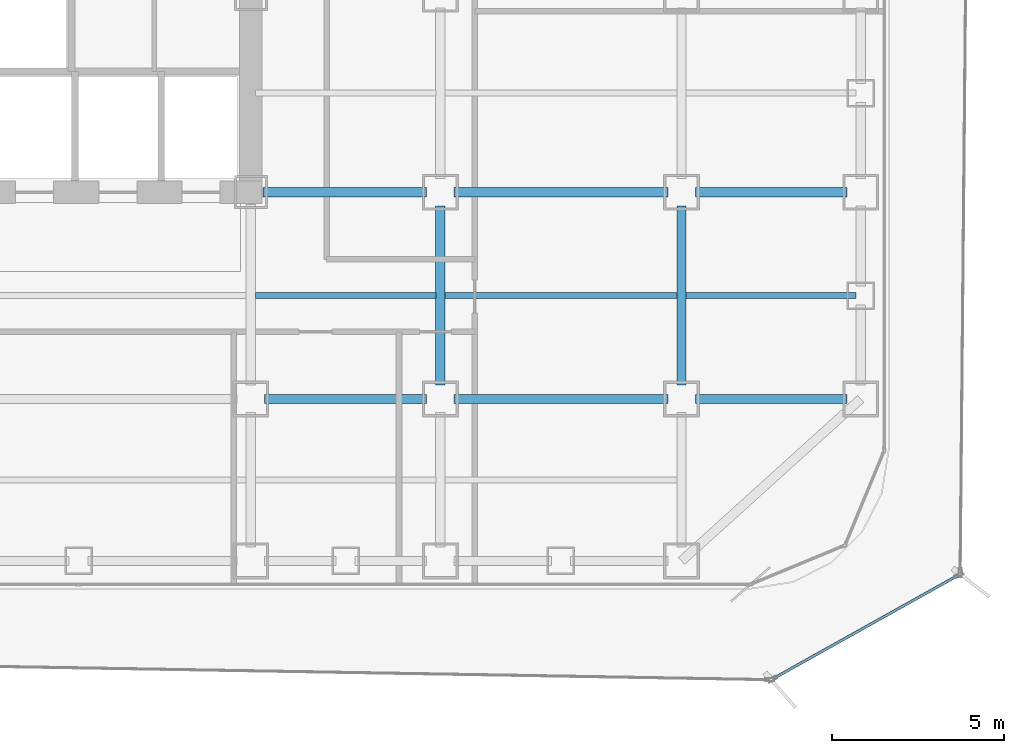
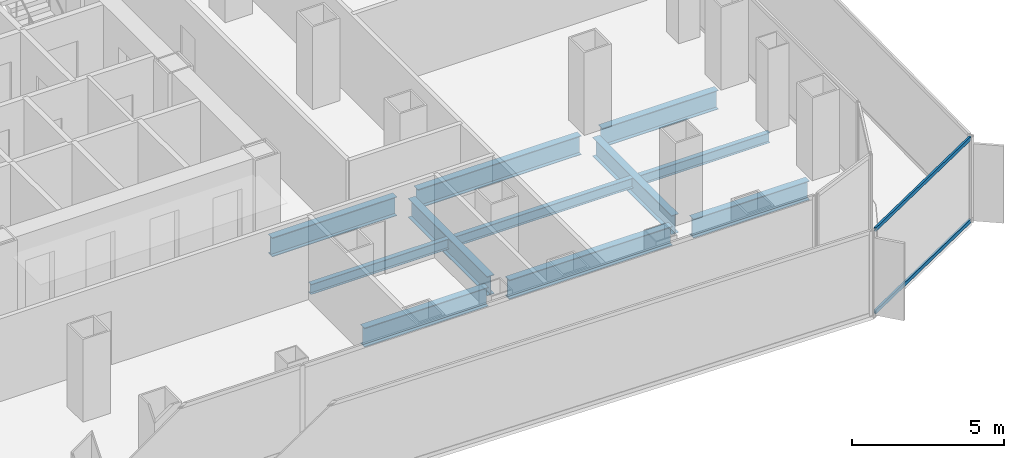
# One storey, part 7 of 21: 11 beams, 2 members, 1 element without a shape of its own.
"""IFC4 building model written with IfcOpenShell, lengths in metres."""

from ifc_helpers import new_model, si_unit, direction, frame, origin, origin_2d, place, context, subcontext, project, spatial, hollow_rectangle, i_section, extrude, source, transform, mapped, material, layer, layer_set, material_profile, profile_set, type_object, element, aggregate, save


model = new_model("IFC4")

# Units and contexts
model_context = context("Model", 3, precision=1e-05, world=origin(), true_north=direction((0.0, 1.0)))
body_context = subcontext(model_context, "Body", "Model", "MODEL_VIEW")
ifc_project = project(units=[si_unit("LENGTHUNIT", "METRE"), si_unit("AREAUNIT", "SQUARE_METRE"), si_unit("VOLUMEUNIT", "CUBIC_METRE"), si_unit("PLANEANGLEUNIT", "RADIAN"), si_unit("MASSUNIT", "GRAM", prefix="KILO")], contexts=[model_context])

# Site, building, storey
site_placement = place(None, origin())
site = spatial("IfcSite", under=ifc_project, at=site_placement, CompositionType="ELEMENT")
building_placement = place(site_placement, origin())
building = spatial("IfcBuilding", under=site, at=building_placement, Name="Kolveth Station Tower", CompositionType="ELEMENT")
storey_placement = place(building_placement, frame((0.0, 0.0, 58.5)))
storey = spatial("IfcBuildingStorey", under=building, at=storey_placement, Name="L15", CompositionType="ELEMENT", Elevation=58.5)

# Beams
ifc_material_1 = material(Name="Steel S355", Category="steel")
ifc_material_profile_1 = material_profile(ifc_material_1, i_section(OverallWidth=0.26708984375, OverallDepth=0.76611328125, WebThickness=0.014892578125, FlangeThickness=0.023681640625, at=origin_2d()), Name="W760x185")
ifc_profile_set_1 = profile_set([ifc_material_profile_1], Name="Steel S355")
beam_type_1 = type_object("IfcBeamType", Name="Beam_B3", PredefinedType="BEAM", material=ifc_profile_set_1)
shared_shape_1 = source(origin(), body_context, "Body", "SweptSolid", [
    extrude(i_section(OverallWidth=0.26708984375, OverallDepth=0.76611328125, WebThickness=0.014892578125, FlangeThickness=0.023681640625, at=origin_2d()), origin(), (0.0, 0.0, 1.0), 4.400146484375),
])
for number, where, z_axis, x_axis, name in (
    (1, (41.39990234375, 5.5, -0.6630859375), (1.0, 0.0, 0.0), (0.0, 1.0, 0.0), "L15 Primary Girder BM-L15-GY55-7"),
    (2, (41.39990234375, 11.5, -0.6630859375), (1.0, 0.0, 0.0), (0.0, 1.0, 0.0), "L15 Primary Girder BM-L15-GY115-7"),
):
    element("IfcBeam", number, at=place(storey_placement, frame(where, z_axis=z_axis, x_axis=x_axis)), inside=storey, type_object=beam_type_1, Name=name, PredefinedType="BEAM", context=body_context, shape_type="MappedRepresentation", body=[
        mapped(shared_shape_1, transform((0.0, 0.0, 0.0), x_axis=(1.0, 0.0, 0.0), y_axis=(0.0, 1.0, 0.0), z_axis=(0.0, 0.0, 1.0), scale=1.0)),
    ])
shared_shape_2 = source(origin(), body_context, "Body", "SweptSolid", [
    extrude(i_section(OverallWidth=0.26708984375, OverallDepth=0.76611328125, WebThickness=0.014892578125, FlangeThickness=0.023681640625, at=origin_2d()), origin(), (0.0, 0.0, 1.0), 6.2001953125),
])
for number, where, z_axis, x_axis, name in (
    (3, (34.39990234375, 5.5, -0.6630859375), (1.0, 0.0, 0.0), (0.0, 1.0, 0.0), "L15 Primary Girder BM-L15-GY55-6"),
    (4, (34.39990234375, 11.5, -0.6630859375), (1.0, 0.0, 0.0), (0.0, 1.0, 0.0), "L15 Primary Girder BM-L15-GY115-6"),
):
    element("IfcBeam", number, at=place(storey_placement, frame(where, z_axis=z_axis, x_axis=x_axis)), inside=storey, type_object=beam_type_1, Name=name, PredefinedType="BEAM", context=body_context, shape_type="MappedRepresentation", body=[
        mapped(shared_shape_2, transform((0.0, 0.0, 0.0), x_axis=(1.0, 0.0, 0.0), y_axis=(0.0, 1.0, 0.0), z_axis=(0.0, 0.0, 1.0), scale=1.0)),
    ])
shared_shape_3 = source(origin(), body_context, "Body", "SweptSolid", [
    extrude(i_section(OverallWidth=0.26708984375, OverallDepth=0.76611328125, WebThickness=0.014892578125, FlangeThickness=0.023681640625, at=origin_2d()), origin(), (0.0, 0.0, 1.0), 4.7001953125),
])
beam_1_placement = place(storey_placement, frame((28.89990234375, 5.5, -0.6630859375), z_axis=(1.0, 0.0, 0.0), x_axis=(0.0, 1.0, 0.0)))
element("IfcBeam", 5, at=beam_1_placement, inside=storey, type_object=beam_type_1, Name="L15 Primary Girder BM-L15-GY55-5", PredefinedType="BEAM", context=body_context, shape_type="MappedRepresentation", body=[
    mapped(shared_shape_3, transform((0.0, 0.0, 0.0), x_axis=(1.0, 0.0, 0.0), y_axis=(0.0, 1.0, 0.0), z_axis=(0.0, 0.0, 1.0), scale=1.0)),
])
shared_shape_4 = source(origin(), body_context, "Body", "SweptSolid", [
    extrude(i_section(OverallWidth=0.26708984375, OverallDepth=0.76611328125, WebThickness=0.014892578125, FlangeThickness=0.023681640625, at=origin_2d()), origin(), (0.0, 0.0, 1.0), 4.739990234375),
])
beam_2_placement = place(storey_placement, frame((28.860107421875, 11.5, -0.6630859375), z_axis=(1.0, 0.0, 0.0), x_axis=(0.0, 1.0, 0.0)))
element("IfcBeam", 6, at=beam_2_placement, inside=storey, type_object=beam_type_1, Name="L15 Primary Girder BM-L15-GY115-5", PredefinedType="BEAM", context=body_context, shape_type="MappedRepresentation", body=[
    mapped(shared_shape_4, transform((0.0, 0.0, 0.0), x_axis=(1.0, 0.0, 0.0), y_axis=(0.0, 1.0, 0.0), z_axis=(0.0, 0.0, 1.0), scale=1.0)),
])
shared_shape_5 = source(origin(), body_context, "Body", "SweptSolid", [
    extrude(i_section(OverallWidth=0.26708984375, OverallDepth=0.76611328125, WebThickness=0.014892578125, FlangeThickness=0.023681640625, at=origin_2d()), origin(), (0.0, 0.0, 1.0), 5.2001953125),
])
for number, where, z_axis, x_axis, name in (
    (7, (34.0, 5.89990234375, -0.6630859375), (0.0, 1.0, 0.0), (-1.0, 0.0, 0.0), "L15 Primary Girder BM-L15-GX340-2"),
    (8, (41.0, 5.89990234375, -0.6630859375), (0.0, 1.0, 0.0), (-1.0, 0.0, 0.0), "L15 Primary Girder BM-L15-GX410-2"),
):
    element("IfcBeam", number, at=place(storey_placement, frame(where, z_axis=z_axis, x_axis=x_axis)), inside=storey, type_object=beam_type_1, Name=name, PredefinedType="BEAM", context=body_context, shape_type="MappedRepresentation", body=[
        mapped(shared_shape_5, transform((0.0, 0.0, 0.0), x_axis=(1.0, 0.0, 0.0), y_axis=(0.0, 1.0, 0.0), z_axis=(0.0, 0.0, 1.0), scale=1.0)),
    ])
ifc_material_profile_2 = material_profile(ifc_material_1, i_section(OverallWidth=0.177978515625, OverallDepth=0.406982421875, WebThickness=0.0078125, FlangeThickness=0.0126953125, at=origin_2d()), Name="W410x60")
ifc_profile_set_2 = profile_set([ifc_material_profile_2], Name="Steel S355")
beam_type_2 = type_object("IfcBeamType", Name="Beam_J1", PredefinedType="JOIST", material=ifc_profile_set_2)
shared_shape_6 = source(origin(), body_context, "Body", "SweptSolid", [
    extrude(i_section(OverallWidth=0.177978515625, OverallDepth=0.406982421875, WebThickness=0.0078125, FlangeThickness=0.0126953125, at=origin_2d()), origin(), (0.0, 0.0, 1.0), 4.935791015625),
])
beam_3_placement = place(storey_placement, frame((41.131591796875, 8.5, -0.4833984375), z_axis=(1.0, 0.0, 0.0), x_axis=(0.0, 1.0, 0.0)))
element("IfcBeam", 9, at=beam_3_placement, inside=storey, type_object=beam_type_2, Name="L15 Secondary Joist JST-L15-7-2", PredefinedType="JOIST", context=body_context, shape_type="MappedRepresentation", body=[
    mapped(shared_shape_6, transform((0.0, 0.0, 0.0), x_axis=(1.0, 0.0, 0.0), y_axis=(0.0, 1.0, 0.0), z_axis=(0.0, 0.0, 1.0), scale=1.0)),
])
shared_shape_7 = source(origin(), body_context, "Body", "SweptSolid", [
    extrude(i_section(OverallWidth=0.177978515625, OverallDepth=0.406982421875, WebThickness=0.0078125, FlangeThickness=0.0126953125, at=origin_2d()), origin(), (0.0, 0.0, 1.0), 6.73681640625),
])
beam_4_placement = place(storey_placement, frame((34.131591796875, 8.5, -0.4833984375), z_axis=(1.0, 0.0, 0.0), x_axis=(0.0, 1.0, 0.0)))
element("IfcBeam", 10, at=beam_4_placement, inside=storey, type_object=beam_type_2, Name="L15 Secondary Joist JST-L15-6-2", PredefinedType="JOIST", context=body_context, shape_type="MappedRepresentation", body=[
    mapped(shared_shape_7, transform((0.0, 0.0, 0.0), x_axis=(1.0, 0.0, 0.0), y_axis=(0.0, 1.0, 0.0), z_axis=(0.0, 0.0, 1.0), scale=1.0)),
])
shared_shape_8 = source(origin(), body_context, "Body", "SweptSolid", [
    extrude(i_section(OverallWidth=0.177978515625, OverallDepth=0.406982421875, WebThickness=0.0078125, FlangeThickness=0.0126953125, at=origin_2d()), origin(), (0.0, 0.0, 1.0), 5.23681640625),
])
beam_5_placement = place(storey_placement, frame((28.631591796875, 8.5, -0.4833984375), z_axis=(1.0, 0.0, 0.0), x_axis=(0.0, 1.0, 0.0)))
element("IfcBeam", 11, at=beam_5_placement, inside=storey, type_object=beam_type_2, Name="L15 Secondary Joist JST-L15-5-2", PredefinedType="JOIST", context=body_context, shape_type="MappedRepresentation", body=[
    mapped(shared_shape_8, transform((0.0, 0.0, 0.0), x_axis=(1.0, 0.0, 0.0), y_axis=(0.0, 1.0, 0.0), z_axis=(0.0, 0.0, 1.0), scale=1.0)),
])

# Curtain wall, members
ifc_material_2 = material(Name="Black anodized aluminium 6063-T6 and dark solar glass", Category="aluminium")
ifc_layer = layer(ifc_material_2, 0.159912109375)
ifc_layer_set = layer_set([ifc_layer], Name="Black anodized aluminium 6063-T6 and dark solar glass")
curtain_wall_type = type_object("IfcCurtainWallType", Name="OUTER SKIN CW-OS", PredefinedType="NOTDEFINED", material=ifc_layer_set)
curtain_wall_placement = place(storey_placement, origin())
curtain_wall = element("IfcCurtainWall", 12, at=curtain_wall_placement, inside=storey, type_object=curtain_wall_type, Name="L15 Outer Ventilated Skin Curtain Wall 1", PredefinedType="NOTDEFINED")
ifc_material_3 = material(Name="Black anodized aluminium 6063-T6", Category="aluminium")
ifc_material_profile_3 = material_profile(ifc_material_3, hollow_rectangle(XDim=0.080078125, YDim=0.14990234375, WallThickness=0.0048828125, at=origin_2d()), Name="ALU-80x150x5")
ifc_profile_set_3 = profile_set([ifc_material_profile_3], Name="Black anodized aluminium 6063-T6")
member_type = type_object("IfcMemberType", Name="Transom_TR-OS", PredefinedType="USERDEFINED", material=ifc_profile_set_3)
shared_shape_9 = source(origin(), body_context, "Body", "SweptSolid", [
    extrude(hollow_rectangle(XDim=0.080078125, YDim=0.14990234375, WallThickness=0.0048828125, at=origin_2d()), origin(), (0.0, 0.0, 1.0), 6.105712890625),
])
member_1_placement = place(storey_placement, frame((43.679931640625, -2.607421875, 0.0400390625), z_axis=(0.873008078954, 0.487705745385, 0.0), x_axis=(-0.487705745385, 0.873008078954, 0.0)))
member_1 = element("IfcMember", 13, at=member_1_placement, type_object=member_type, Name="CW-OS transom 1.1", ObjectType="TRANSOM", PredefinedType="USERDEFINED", context=body_context, shape_type="MappedRepresentation", body=[
    mapped(shared_shape_9, transform((0.0, 0.0, 0.0), x_axis=(1.0, 0.0, 0.0), y_axis=(0.0, 1.0, 0.0), z_axis=(0.0, 0.0, 1.0), scale=1.0)),
])
member_2_placement = place(storey_placement, frame((43.679931640625, -2.607421875, 3.35009765625), z_axis=(0.873008078954, 0.487705745385, 0.0), x_axis=(-0.487705745385, 0.873008078954, 0.0)))
member_2 = element("IfcMember", 14, at=member_2_placement, type_object=member_type, Name="CW-OS transom 1.2", ObjectType="TRANSOM", PredefinedType="USERDEFINED", context=body_context, shape_type="MappedRepresentation", body=[
    mapped(shared_shape_9, transform((0.0, 0.0, 0.0), x_axis=(1.0, 0.0, 0.0), y_axis=(0.0, 1.0, 0.0), z_axis=(0.0, 0.0, 1.0), scale=1.0)),
])
aggregate(curtain_wall, [member_1, member_2])

save(model, "model.ifc")
